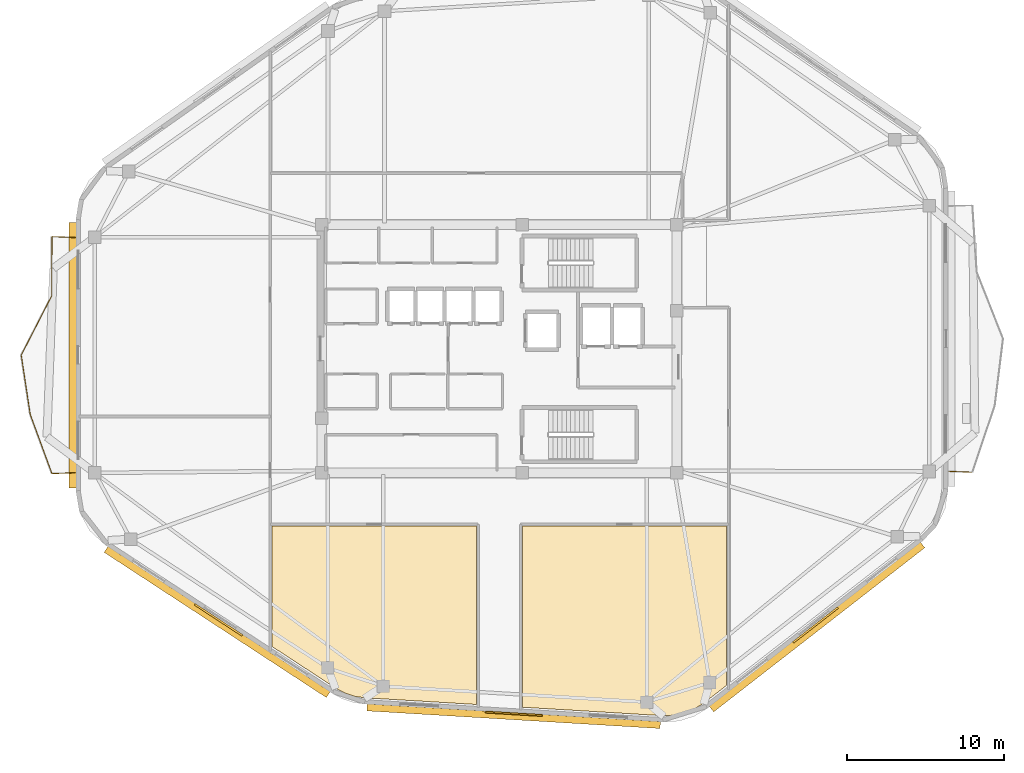
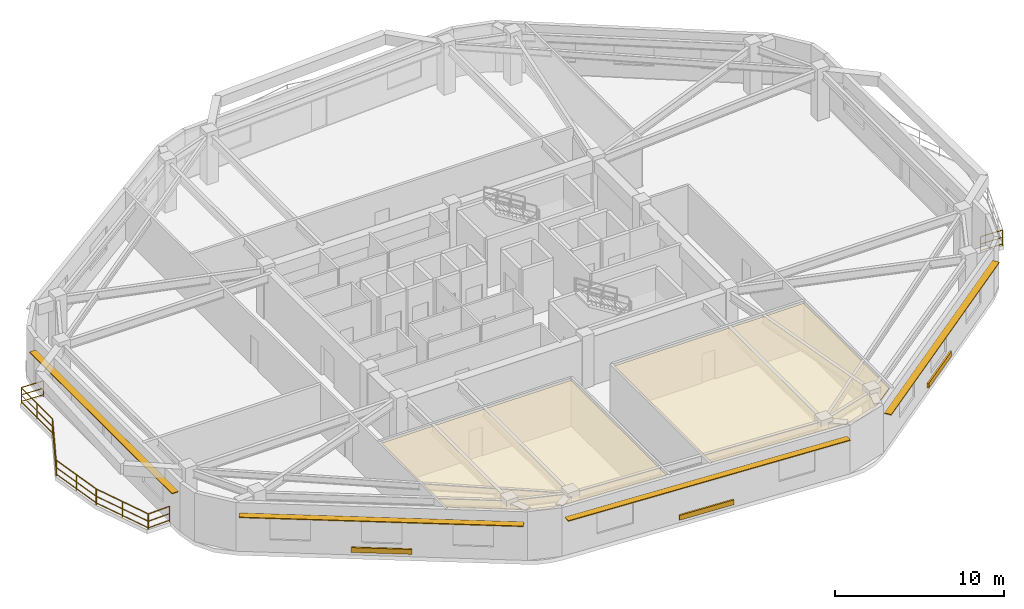
# One storey, part 7 of 9: 7 railings, 7 shading devices, 2 coverings.
"""IFC4 building model written with IfcOpenShell, lengths in metres."""

from ifc_helpers import new_model, si_unit, direction, frame, origin, origin_2d, place, context, subcontext, project, spatial, polyline, rectangle, outline, extrude, material, layer, layer_set, type_object, element, save


model = new_model("IFC4")

# Units and contexts
model_context = context("Model", 3, precision=1e-05, world=origin(), true_north=direction((0.0, 1.0)))
body_context = subcontext(model_context, "Body", "Model", "MODEL_VIEW")
ifc_project = project(units=[si_unit("LENGTHUNIT", "METRE"), si_unit("AREAUNIT", "SQUARE_METRE"), si_unit("VOLUMEUNIT", "CUBIC_METRE"), si_unit("PLANEANGLEUNIT", "RADIAN"), si_unit("MASSUNIT", "GRAM", prefix="KILO")], contexts=[model_context])

# Site, building, storey
site_placement = place(None, origin())
site = spatial("IfcSite", under=ifc_project, at=site_placement, CompositionType="ELEMENT")
building_placement = place(site_placement, origin())
building = spatial("IfcBuilding", under=site, at=building_placement, Name="Zulverin Broadcast Headquarters", CompositionType="ELEMENT")
storey_placement = place(building_placement, frame((0.0, 0.0, 244.0)))
storey = spatial("IfcBuildingStorey", under=building, at=storey_placement, Name="L62", CompositionType="ELEMENT", Elevation=244.0)

# Coverings
ifc_material_1 = material(Name="Perforated pale-metal acoustic baffle ceiling", Category="aluminium")
ifc_layer_1 = layer(ifc_material_1, 0.0400390625, Name="Perforated pale-metal acoustic baffle ceiling", Category="aluminium")
ifc_layer_set_1 = layer_set([ifc_layer_1], Name="Perforated pale-metal acoustic baffle ceiling")
covering_type = type_object("IfcCoveringType", Name="COV-CEIL-ACOU", PredefinedType="CEILING", material=ifc_layer_set_1)
covering_1_placement = place(storey_placement, frame((0.0, 0.0, 3.330078125)))
element("IfcCovering", 1, at=covering_1_placement, inside=storey, type_object=covering_type, Name="L62 Acoustic Baffle Ceiling 02", PredefinedType="CEILING", context=body_context, shape_type="SweptSolid", body=[
    extrude(outline(polyline([(27.18798828125, 3.33203125), (27.7958984375, 3.1279296875), (28.444091796875, 3.031982421875), (35.531982421875, 2.60791015625), (35.531982421875, 13.931884765625), (22.572021484375, 13.931884765625), (22.572021484375, 6.280029296875), (26.60791015625, 3.639892578125), (27.18798828125, 3.33203125)])), origin(), (0.0, 0.0, 1.0), 0.0400390625),
])
covering_2_placement = place(storey_placement, frame((0.0, 0.0, 3.330078125)))
element("IfcCovering", 2, at=covering_2_placement, inside=storey, type_object=covering_type, Name="L62 Acoustic Baffle Ceiling 03", PredefinedType="CEILING", context=body_context, shape_type="SweptSolid", body=[
    extrude(outline(polyline([(38.471923828125, 13.931884765625), (38.471923828125, 2.431884765625), (47.427978515625, 1.89208984375), (48.340087890625, 1.947998046875), (49.18408203125, 2.2119140625), (49.964111328125, 2.679931640625), (51.431884765625, 3.820068359375), (51.431884765625, 13.931884765625), (38.471923828125, 13.931884765625)])), origin(), (0.0, 0.0, 1.0), 0.0400390625),
])

# Railings
ifc_material_2 = material(Name="Brushed stainless steel & laminated glass balustrade", Category="steel")
railing_type = type_object("IfcRailingType", Name="RL-GUARD-1150", PredefinedType="GUARDRAIL", material=ifc_material_2)
railing_1_placement = place(storey_placement, frame((65.5400390625, 17.417724609375, 0.0)))
element("IfcRailing", 3, at=railing_1_placement, inside=storey, type_object=railing_type, Name="L62 Vertical-Forest Balcony Guardrail BAL_E Segment 01", PredefinedType="GUARDRAIL", context=body_context, shape_type="SweptSolid", body=[
    extrude(rectangle(XDim=0.048095703125, YDim=0.048095703125, at=origin_2d()), frame((0.0, 0.0, 1.1259765625), z_axis=(0.99918088253, -0.040466825742, 0.0), x_axis=(0.040466825742, 0.99918088253, 0.0)), (0.0, 0.0, 1.0), 1.466064453125),
    extrude(rectangle(XDim=0.0419921875, YDim=0.0419921875, at=origin_2d()), frame((0.0, 0.0, 0.597900390625), z_axis=(0.99918088253, -0.040466825742, 0.0), x_axis=(0.040466825742, 0.99918088253, 0.0)), (0.0, 0.0, 1.0), 1.466064453125),
    extrude(rectangle(XDim=0.0419921875, YDim=0.0419921875, at=origin_2d()), frame((0.0, 0.0, 0.1201171875), z_axis=(0.99918088253, -0.040466825742, 0.0), x_axis=(0.040466825742, 0.99918088253, 0.0)), (0.0, 0.0, 1.0), 1.466064453125),
    extrude(rectangle(XDim=0.0419921875, YDim=0.0419921875, at=origin_2d()), origin(), (0.0, 0.0, 1.0), 1.101806640625),
    extrude(rectangle(XDim=0.0419921875, YDim=0.0419921875, at=origin_2d()), frame((1.46484375, -0.059326171875, 0.0)), (0.0, 0.0, 1.0), 1.101806640625),
])
railing_2_placement = place(storey_placement, frame((10.06005859375, 32.265380859375, 0.0)))
element("IfcRailing", 4, at=railing_2_placement, inside=storey, type_object=railing_type, Name="L62 Vertical-Forest Balcony Guardrail BAL_W Segment 01", PredefinedType="GUARDRAIL", context=body_context, shape_type="SweptSolid", body=[
    extrude(rectangle(XDim=0.048095703125, YDim=0.048095703125, at=origin_2d()), frame((0.0, 0.0, 1.1259765625), z_axis=(-0.999181155166, 0.040460093435, 0.0), x_axis=(-0.040460093435, -0.999181155166, 0.0)), (0.0, 0.0, 1.0), 1.46630859375),
    extrude(rectangle(XDim=0.0419921875, YDim=0.0419921875, at=origin_2d()), frame((0.0, 0.0, 0.597900390625), z_axis=(-0.999181155166, 0.040460093435, 0.0), x_axis=(-0.040460093435, -0.999181155166, 0.0)), (0.0, 0.0, 1.0), 1.46630859375),
    extrude(rectangle(XDim=0.0419921875, YDim=0.0419921875, at=origin_2d()), frame((0.0, 0.0, 0.1201171875), z_axis=(-0.999181155166, 0.040460093435, 0.0), x_axis=(-0.040460093435, -0.999181155166, 0.0)), (0.0, 0.0, 1.0), 1.46630859375),
    extrude(rectangle(XDim=0.0419921875, YDim=0.0419921875, at=origin_2d()), origin(), (0.0, 0.0, 1.0), 1.101806640625),
    extrude(rectangle(XDim=0.0419921875, YDim=0.0419921875, at=origin_2d()), frame((-1.465087890625, 0.059326171875, 0.0)), (0.0, 0.0, 1.0), 1.101806640625),
])
railing_3_placement = place(storey_placement, frame((8.579833984375, 32.310302734375, 0.0)))
element("IfcRailing", 5, at=railing_3_placement, inside=storey, type_object=railing_type, Name="L62 Vertical-Forest Balcony Guardrail BAL_W Segment 02", PredefinedType="GUARDRAIL", context=body_context, shape_type="SweptSolid", body=[
    extrude(rectangle(XDim=0.048095703125, YDim=0.048095703125, at=origin_2d()), frame((0.0, 0.0, 1.1259765625), z_axis=(-0.004772747209, -0.999988610377, 0.0), x_axis=(0.999988610377, -0.004772747209, 0.0)), (0.0, 0.0, 1.0), 3.734130859375),
    extrude(rectangle(XDim=0.0419921875, YDim=0.0419921875, at=origin_2d()), frame((0.0, 0.0, 0.597900390625), z_axis=(-0.004772747209, -0.999988610377, 0.0), x_axis=(0.999988610377, -0.004772747209, 0.0)), (0.0, 0.0, 1.0), 3.734130859375),
    extrude(rectangle(XDim=0.0419921875, YDim=0.0419921875, at=origin_2d()), frame((0.0, 0.0, 0.1201171875), z_axis=(-0.004772747209, -0.999988610377, 0.0), x_axis=(0.999988610377, -0.004772747209, 0.0)), (0.0, 0.0, 1.0), 3.734130859375),
    extrude(rectangle(XDim=0.0419921875, YDim=0.0419921875, at=origin_2d()), origin(), (0.0, 0.0, 1.0), 1.101806640625),
    extrude(rectangle(XDim=0.0419921875, YDim=0.0419921875, at=origin_2d()), frame((-0.0087890625, -1.8671875, 0.0)), (0.0, 0.0, 1.0), 1.101806640625),
    extrude(rectangle(XDim=0.0419921875, YDim=0.0419921875, at=origin_2d()), frame((-0.017822265625, -3.734130859375, 0.0)), (0.0, 0.0, 1.0), 1.101806640625),
])
railing_4_placement = place(storey_placement, frame((8.55517578125, 28.5478515625, 0.0)))
element("IfcRailing", 6, at=railing_4_placement, inside=storey, type_object=railing_type, Name="L62 Vertical-Forest Balcony Guardrail BAL_W Segment 03", PredefinedType="GUARDRAIL", context=body_context, shape_type="SweptSolid", body=[
    extrude(rectangle(XDim=0.048095703125, YDim=0.048095703125, at=origin_2d()), frame((0.0, 0.0, 1.1259765625), z_axis=(-0.456649319024, -0.889646783524, 0.0), x_axis=(0.889646783524, -0.456649319024, 0.0)), (0.0, 0.0, 1.0), 4.201171875),
    extrude(rectangle(XDim=0.0419921875, YDim=0.0419921875, at=origin_2d()), frame((0.0, 0.0, 0.597900390625), z_axis=(-0.456649319024, -0.889646783524, 0.0), x_axis=(0.889646783524, -0.456649319024, 0.0)), (0.0, 0.0, 1.0), 4.201171875),
    extrude(rectangle(XDim=0.0419921875, YDim=0.0419921875, at=origin_2d()), frame((0.0, 0.0, 0.1201171875), z_axis=(-0.456649319024, -0.889646783524, 0.0), x_axis=(0.889646783524, -0.456649319024, 0.0)), (0.0, 0.0, 1.0), 4.201171875),
    extrude(rectangle(XDim=0.0419921875, YDim=0.0419921875, at=origin_2d()), origin(), (0.0, 0.0, 1.0), 1.101806640625),
    extrude(rectangle(XDim=0.0419921875, YDim=0.0419921875, at=origin_2d()), frame((-0.959228515625, -1.86865234375, 0.0)), (0.0, 0.0, 1.0), 1.101806640625),
    extrude(rectangle(XDim=0.0419921875, YDim=0.0419921875, at=origin_2d()), frame((-1.91845703125, -3.737548828125, 0.0)), (0.0, 0.0, 1.0), 1.101806640625),
])
railing_5_placement = place(storey_placement, frame((6.632080078125, 24.7822265625, 0.0)))
element("IfcRailing", 7, at=railing_5_placement, inside=storey, type_object=railing_type, Name="L62 Vertical-Forest Balcony Guardrail BAL_W Segment 04", PredefinedType="GUARDRAIL", context=body_context, shape_type="SweptSolid", body=[
    extrude(rectangle(XDim=0.048095703125, YDim=0.048095703125, at=origin_2d()), frame((0.0, 0.0, 1.1259765625), z_axis=(0.149633052347, -0.988741599026, 0.0), x_axis=(0.988741599026, 0.149633052347, 0.0)), (0.0, 0.0, 1.0), 3.777099609375),
    extrude(rectangle(XDim=0.0419921875, YDim=0.0419921875, at=origin_2d()), frame((0.0, 0.0, 0.597900390625), z_axis=(0.149633052347, -0.988741599026, 0.0), x_axis=(0.988741599026, 0.149633052347, 0.0)), (0.0, 0.0, 1.0), 3.777099609375),
    extrude(rectangle(XDim=0.0419921875, YDim=0.0419921875, at=origin_2d()), frame((0.0, 0.0, 0.1201171875), z_axis=(0.149633052347, -0.988741599026, 0.0), x_axis=(0.988741599026, 0.149633052347, 0.0)), (0.0, 0.0, 1.0), 3.777099609375),
    extrude(rectangle(XDim=0.0419921875, YDim=0.0419921875, at=origin_2d()), origin(), (0.0, 0.0, 1.0), 1.101806640625),
    extrude(rectangle(XDim=0.0419921875, YDim=0.0419921875, at=origin_2d()), frame((0.28271484375, -1.8671875, 0.0)), (0.0, 0.0, 1.0), 1.101806640625),
    extrude(rectangle(XDim=0.0419921875, YDim=0.0419921875, at=origin_2d()), frame((0.565185546875, -3.734619140625, 0.0)), (0.0, 0.0, 1.0), 1.101806640625),
])
railing_6_placement = place(storey_placement, frame((7.20458984375, 21.018798828125, 0.0)))
element("IfcRailing", 8, at=railing_6_placement, inside=storey, type_object=railing_type, Name="L62 Vertical-Forest Balcony Guardrail BAL_W Segment 05", PredefinedType="GUARDRAIL", context=body_context, shape_type="SweptSolid", body=[
    extrude(rectangle(XDim=0.048095703125, YDim=0.048095703125, at=origin_2d()), frame((0.0, 0.0, 1.1259765625), z_axis=(0.344303321103, -0.938858468076, 0.0), x_axis=(0.938858468076, 0.344303321103, 0.0)), (0.0, 0.0, 1.0), 3.9794921875),
    extrude(rectangle(XDim=0.0419921875, YDim=0.0419921875, at=origin_2d()), frame((0.0, 0.0, 0.597900390625), z_axis=(0.344303321103, -0.938858468076, 0.0), x_axis=(0.938858468076, 0.344303321103, 0.0)), (0.0, 0.0, 1.0), 3.9794921875),
    extrude(rectangle(XDim=0.0419921875, YDim=0.0419921875, at=origin_2d()), frame((0.0, 0.0, 0.1201171875), z_axis=(0.344303321103, -0.938858468076, 0.0), x_axis=(0.938858468076, 0.344303321103, 0.0)), (0.0, 0.0, 1.0), 3.9794921875),
    extrude(rectangle(XDim=0.0419921875, YDim=0.0419921875, at=origin_2d()), origin(), (0.0, 0.0, 1.0), 1.101806640625),
    extrude(rectangle(XDim=0.0419921875, YDim=0.0419921875, at=origin_2d()), frame((0.68505859375, -1.8681640625, 0.0)), (0.0, 0.0, 1.0), 1.101806640625),
    extrude(rectangle(XDim=0.0419921875, YDim=0.0419921875, at=origin_2d()), frame((1.3701171875, -3.736083984375, 0.0)), (0.0, 0.0, 1.0), 1.101806640625),
])
railing_7_placement = place(storey_placement, frame((8.594970703125, 17.269287109375, 0.0)))
element("IfcRailing", 9, at=railing_7_placement, inside=storey, type_object=railing_type, Name="L62 Vertical-Forest Balcony Guardrail BAL_W Segment 06", PredefinedType="GUARDRAIL", context=body_context, shape_type="SweptSolid", body=[
    extrude(rectangle(XDim=0.048095703125, YDim=0.048095703125, at=origin_2d()), frame((0.0, 0.0, 1.1259765625), z_axis=(0.999181155166, 0.040460093435, 0.0), x_axis=(-0.040460093435, 0.999181155166, 0.0)), (0.0, 0.0, 1.0), 1.46630859375),
    extrude(rectangle(XDim=0.0419921875, YDim=0.0419921875, at=origin_2d()), frame((0.0, 0.0, 0.597900390625), z_axis=(0.999181155166, 0.040460093435, 0.0), x_axis=(-0.040460093435, 0.999181155166, 0.0)), (0.0, 0.0, 1.0), 1.46630859375),
    extrude(rectangle(XDim=0.0419921875, YDim=0.0419921875, at=origin_2d()), frame((0.0, 0.0, 0.1201171875), z_axis=(0.999181155166, 0.040460093435, 0.0), x_axis=(-0.040460093435, 0.999181155166, 0.0)), (0.0, 0.0, 1.0), 1.46630859375),
    extrude(rectangle(XDim=0.0419921875, YDim=0.0419921875, at=origin_2d()), origin(), (0.0, 0.0, 1.0), 1.101806640625),
    extrude(rectangle(XDim=0.0419921875, YDim=0.0419921875, at=origin_2d()), frame((1.465087890625, 0.059326171875, 0.0)), (0.0, 0.0, 1.0), 1.101806640625),
])

# Shading devices
ifc_material_3 = material(Name="Anodized pale-metal aluminium acoustic louvre", Category="aluminium")
shading_device_type_1 = type_object("IfcShadingDeviceType", Name="SHD-LOUVRE-350", PredefinedType="USERDEFINED", material=ifc_material_3)
for number, where, z_axis, x_axis, name in (
    (10, (37.91259765625, 2.023681640625, 0.244873046875), (0.0, 0.0, 1.0), (0.998202681386, -0.059928347834, 0.0), "L62 Spandrel Intake Louvre 1"),
    (11, (57.077880859375, 7.653076171875, 0.244873046875), (0.0, 0.0, 1.0), (0.789459183061, 0.613803061479, 0.0), "L62 Spandrel Intake Louvre 2"),
    (12, (19.1591796875, 7.982421875, 0.244873046875), (0.0, 0.0, 1.0), (0.837115830387, -0.54702567263, 0.0), "L62 Spandrel Intake Louvre 8"),
):
    element("IfcShadingDevice", number, at=place(storey_placement, frame(where, z_axis=z_axis, x_axis=x_axis)), inside=storey, type_object=shading_device_type_1, Name=name, ObjectType="LOUVRE", PredefinedType="USERDEFINED", context=body_context, shape_type="SweptSolid", body=[
        extrude(rectangle(XDim=3.60009765625, YDim=0.1201171875, at=origin_2d()), origin(), (0.0, 0.0, 1.0), 0.35009765625),
    ])
ifc_material_4 = material(Name="Anodized pale-metal aluminium sunshade", Category="aluminium")
ifc_layer_2 = layer(ifc_material_4, 0.06005859375, Name="Anodized pale-metal aluminium sunshade", Category="aluminium")
ifc_layer_set_2 = layer_set([ifc_layer_2], Name="Anodized pale-metal aluminium sunshade")
shading_device_type_2 = type_object("IfcShadingDeviceType", Name="SS-01_PALE_METAL_ALUMINIUM_SUNSHADE", PredefinedType="USERDEFINED", material=ifc_layer_set_2)
shading_device_1_placement = place(storey_placement, frame((37.90283203125, 1.864013671875, 2.7099609375), z_axis=(0.0, 0.0, 1.0), x_axis=(0.998202681386, -0.059928347834, 0.0)))
element("IfcShadingDevice", 13, at=shading_device_1_placement, inside=storey, type_object=shading_device_type_2, Name="L62 Horizontal Pale-Metal Sunshade Band 1", ObjectType="SUNSHADE", PredefinedType="USERDEFINED", context=body_context, shape_type="SweptSolid", body=[
    extrude(rectangle(XDim=18.65966796875, YDim=0.449951171875, at=origin_2d()), origin(), (0.0, 0.0, 1.0), 0.06005859375),
])
shading_device_2_placement = place(storey_placement, frame((57.176025390625, 7.52685546875, 2.7099609375), z_axis=(0.0, 0.0, 1.0), x_axis=(0.789459183061, 0.613803061479, 0.0)))
element("IfcShadingDevice", 14, at=shading_device_2_placement, inside=storey, type_object=shading_device_type_2, Name="L62 Horizontal Pale-Metal Sunshade Band 2", ObjectType="SUNSHADE", PredefinedType="USERDEFINED", context=body_context, shape_type="SweptSolid", body=[
    extrude(rectangle(XDim=16.987548828125, YDim=0.449951171875, at=origin_2d()), origin(), (0.0, 0.0, 1.0), 0.06005859375),
])
shading_device_3_placement = place(storey_placement, frame((9.89990234375, 24.797119140625, 2.7099609375), z_axis=(0.0, 0.0, 1.0), x_axis=(0.0, -1.0, 0.0)))
element("IfcShadingDevice", 15, at=shading_device_3_placement, inside=storey, type_object=shading_device_type_2, Name="L62 Horizontal Pale-Metal Sunshade Band 7", ObjectType="SUNSHADE", PredefinedType="USERDEFINED", context=body_context, shape_type="SweptSolid", body=[
    extrude(rectangle(XDim=16.856689453125, YDim=0.449951171875, at=origin_2d()), origin(), (0.0, 0.0, 1.0), 0.06005859375),
])
shading_device_4_placement = place(storey_placement, frame((19.07177734375, 7.848388671875, 2.7099609375), z_axis=(0.0, 0.0, 1.0), x_axis=(0.837115830387, -0.54702567263, 0.0)))
element("IfcShadingDevice", 16, at=shading_device_4_placement, inside=storey, type_object=shading_device_type_2, Name="L62 Horizontal Pale-Metal Sunshade Band 8", ObjectType="SUNSHADE", PredefinedType="USERDEFINED", context=body_context, shape_type="SweptSolid", body=[
    extrude(rectangle(XDim=16.859130859375, YDim=0.449951171875, at=origin_2d()), origin(), (0.0, 0.0, 1.0), 0.06005859375),
])

save(model, "model.ifc")
